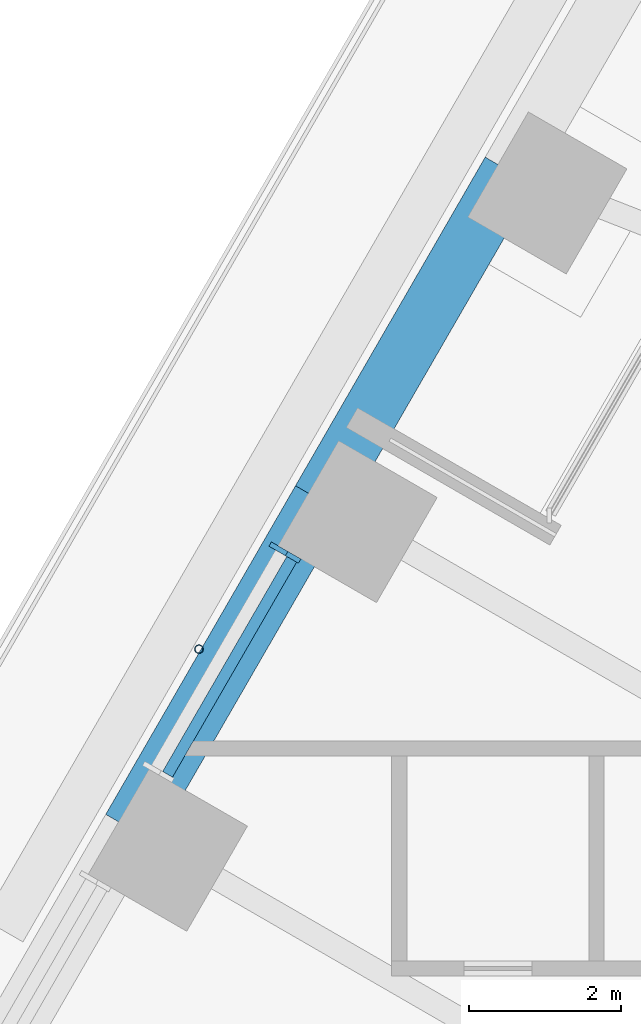
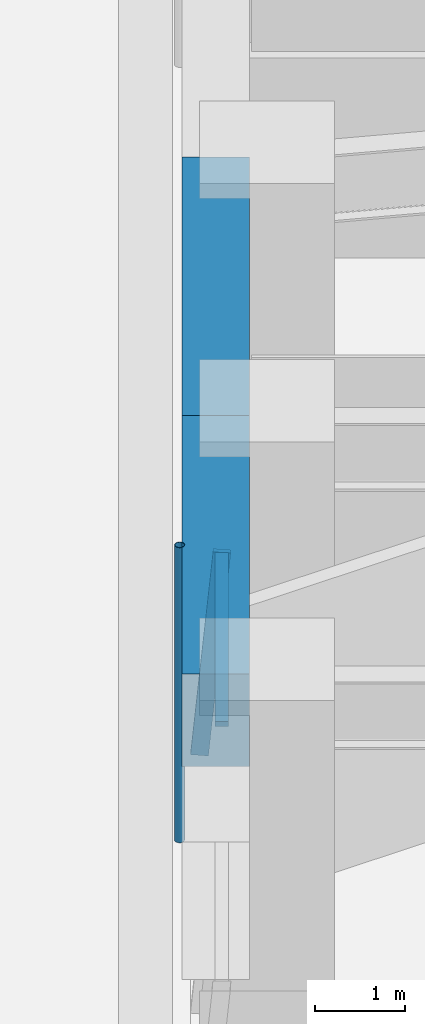
# One storey, part 7 of 24: 3 members, 2 beams, 1 element without a shape of its own.
"""IFC4 building model written with IfcOpenShell, lengths in metres."""

from ifc_helpers import new_model, si_unit, direction, frame, origin, origin_2d, place, context, subcontext, project, spatial, rectangle, hollow_circle, extrude, material, material_profile, profile_set, type_object, element, aggregate, save


model = new_model("IFC4")

# Units and contexts
model_context = context("Model", 3, precision=1e-05, world=origin(), true_north=direction((0.0, 1.0)))
body_context = subcontext(model_context, "Body", "Model", "MODEL_VIEW")
ifc_project = project(units=[si_unit("LENGTHUNIT", "METRE"), si_unit("AREAUNIT", "SQUARE_METRE"), si_unit("VOLUMEUNIT", "CUBIC_METRE"), si_unit("PLANEANGLEUNIT", "RADIAN"), si_unit("MASSUNIT", "GRAM", prefix="KILO")], contexts=[model_context])

# Site, building, storey
site_placement = place(None, origin())
site = spatial("IfcSite", under=ifc_project, at=site_placement, CompositionType="ELEMENT")
building_placement = place(site_placement, origin())
building = spatial("IfcBuilding", under=site, at=building_placement, Name="Tarfa Lantern Tower", CompositionType="ELEMENT")
storey_placement = place(building_placement, frame((0.0, 0.0, 140.5)))
storey = spatial("IfcBuildingStorey", under=building, at=storey_placement, Name="L31", CompositionType="ELEMENT", Elevation=140.5)

# Curtain wall, members
ifc_material_1 = material(Name="Aluminium framed curtain wall", Category="aluminium")
curtain_wall_type = type_object("IfcCurtainWallType", Name="CW2 CANTED GLAZING MID ZONE 2750", PredefinedType="USERDEFINED", material=ifc_material_1)
curtain_wall_placement = place(storey_placement, origin())
curtain_wall = element("IfcCurtainWall", 1, at=curtain_wall_placement, inside=storey, type_object=curtain_wall_type, Name="CW2 NWB L31", ObjectType="CURTAIN WALL", PredefinedType="USERDEFINED")
ifc_material_2 = material(Name="Aluminium mullion", Category="aluminium")
ifc_material_profile_1 = material_profile(ifc_material_2, rectangle(XDim=0.06494140625, YDim=0.199951171875, at=origin_2d()), Name="AL MULLION 65x200")
ifc_profile_set_1 = profile_set([ifc_material_profile_1], Name="Aluminium mullion")
member_type_1 = type_object("IfcMemberType", Name="CWM1 MULLION 65x200", PredefinedType="MULLION", material=ifc_profile_set_1)
member_1_placement = place(storey_placement, frame((-30.111328125, 10.645751953125, 0.0), z_axis=(0.078422950161, -0.045267813396, 0.995891894715), x_axis=(0.499919672301, 0.866071776036, 0.0)))
member_1 = element("IfcMember", 2, at=member_1_placement, type_object=member_type_1, Name="CW2 mullion 1", PredefinedType="MULLION", context=body_context, shape_type="SweptSolid", body=[
    extrude(rectangle(XDim=0.06494140625, YDim=0.199951171875, at=origin_2d()), origin(), (0.0, 0.0, 1.0), 2.76123046875),
])
ifc_material_3 = material(Name="Aluminium transom", Category="aluminium")
ifc_material_profile_2 = material_profile(ifc_material_3, rectangle(XDim=0.14990234375, YDim=0.06494140625, at=origin_2d()), Name="AL TRANSOM 150x65")
ifc_profile_set_2 = profile_set([ifc_material_profile_2], Name="Aluminium transom")
member_type_2 = type_object("IfcMemberType", Name="CWT1 TRANSOM 150x65", PredefinedType="USERDEFINED", material=ifc_profile_set_2)
member_2_placement = place(storey_placement, frame((-29.91357421875, 10.494140625, 2.717529296875), z_axis=(-0.500012937857, -0.86601793398, 0.0), x_axis=(0.86601793398, -0.500012937857, 0.0)))
member_2 = element("IfcMember", 3, at=member_2_placement, type_object=member_type_2, Name="CW2 transom 1.2", ObjectType="TRANSOM", PredefinedType="USERDEFINED", context=body_context, shape_type="SweptSolid", body=[
    extrude(rectangle(XDim=0.14990234375, YDim=0.06494140625, at=origin_2d()), origin(), (0.0, 0.0, 1.0), 3.27392578125),
])
aggregate(curtain_wall, [member_1, member_2])

# Beams
ifc_material_4 = material(Name="Concrete C80/95", Category="concrete")
ifc_material_profile_3 = material_profile(ifc_material_4, rectangle(XDim=0.75, YDim=1.25, at=origin_2d()), Name="RC 750x1250")
ifc_profile_set_3 = profile_set([ifc_material_profile_3], Name="Concrete C80/95")
beam_type = type_object("IfcBeamType", Name="EB2 RC 750x1250", PredefinedType="SPANDREL", material=ifc_profile_set_3)
for number, where, z_axis, x_axis, name in (
    (4, (-27.037353515625, 15.610107421875, 3.375), (-0.499964603504, -0.866045838996, 0.0), (0.866045838996, -0.499964603504, 0.0), "Edge beam NW3"),
    (5, (-29.5390625, 11.276611328125, 3.375), (-0.500022324899, -0.866012514114, 0.0), (0.866012514114, -0.500022324899, 0.0), "Edge beam NW4"),
):
    element("IfcBeam", number, at=place(storey_placement, frame(where, z_axis=z_axis, x_axis=x_axis)), inside=storey, type_object=beam_type, Name=name, PredefinedType="SPANDREL", context=body_context, shape_type="SweptSolid", body=[
        extrude(rectangle(XDim=0.75, YDim=1.25, at=origin_2d()), origin(), (0.0, 0.0, 1.0), 5.003662109375),
    ])

# Member
ifc_material_5 = material(Name="Steel S355", Category="steel")
ifc_material_profile_4 = material_profile(ifc_material_5, hollow_circle(Radius=0.05712890625, WallThickness=0.00634765625, at=origin_2d()), Name="CHS114.3x6.3")
ifc_profile_set_4 = profile_set([ifc_material_profile_4], Name="Steel S355")
member_type_3 = type_object("IfcMemberType", Name="TR1 GREEN WALL TRELLIS CHS114.3x6.3", PredefinedType="USERDEFINED", material=ifc_profile_set_4)
member_3_placement = place(storey_placement, frame((-31.136474609375, 9.31005859375, 0.0), z_axis=(0.0, 0.0, 1.0), x_axis=(1.0, 0.0, 0.0)))
element("IfcMember", 6, at=member_3_placement, inside=storey, type_object=member_type_3, Name="Trellis post NW 2", ObjectType="TRELLIS", PredefinedType="USERDEFINED", context=body_context, shape_type="SweptSolid", body=[
    extrude(hollow_circle(Radius=0.05712890625, WallThickness=0.00634765625, at=origin_2d()), origin(), (0.0, 0.0, 1.0), 4.0),
])

save(model, "model.ifc")
